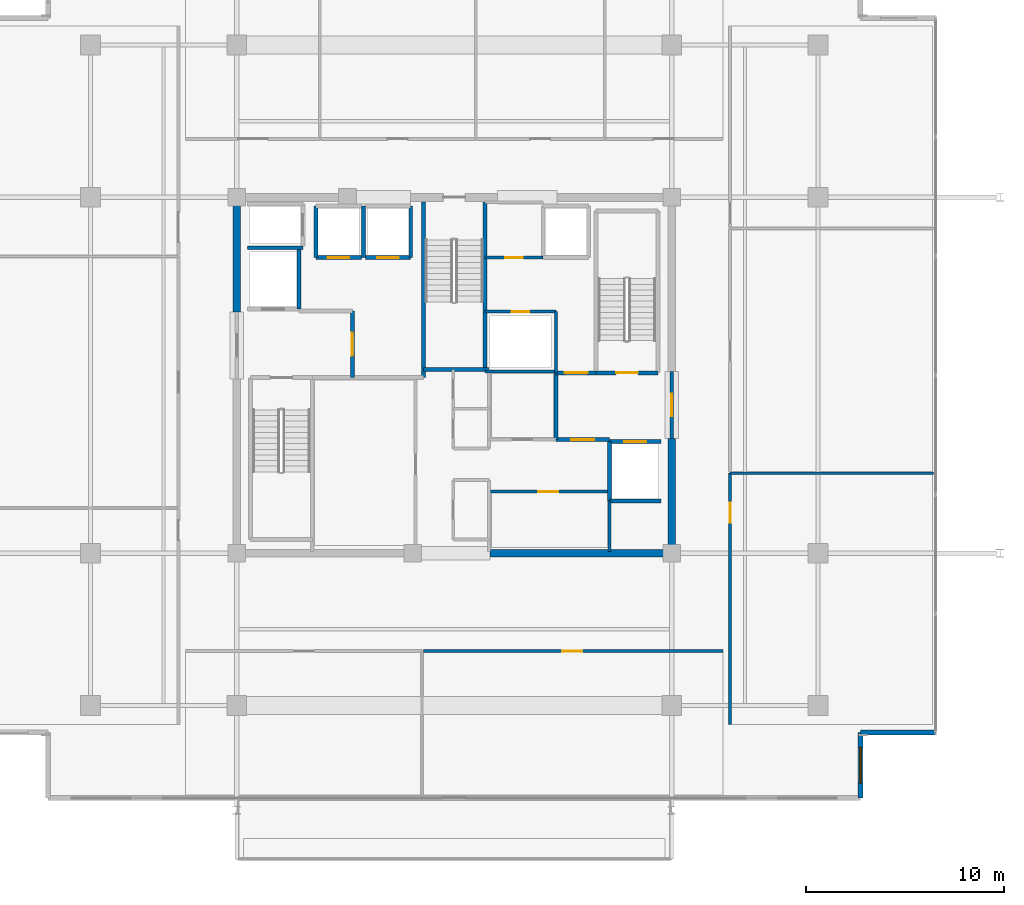
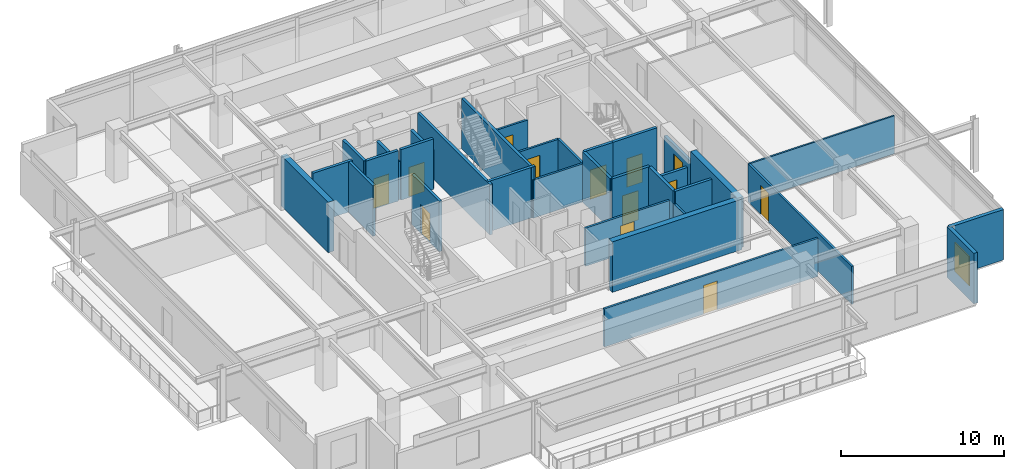
# One storey, part 15 of 21: 33 walls, 13 doors, 1 window, 14 openings.
"""IFC4 building model written with IfcOpenShell, lengths in metres."""

import ifcopenshell
import ifcopenshell.guid

model = None  # the IFC model being written
_history = None  # IfcOwnerHistory: only IFC2X3 demands one
_inside = {}  # id of a spatial element -> (the spatial element, [elements in it])
_under = {}  # id of a project, library or spatial element -> (it, [spatial elements below it])
_declared = {}  # id of a project -> (the project, [libraries it declares])
_typed = {}  # id of a type object -> (the type object, [elements of that type])
_made_of = {}  # id of a material, layer set ... -> (it, [elements and type objects made of it])


def new_model(schema):
    """Start an empty IFC model of exactly this schema.

    Asked for "IFC4X3", IfcOpenShell would pick the latest addendum, in which some entities
    have other attributes; the version numbers below select the first issue.
    IFC2X3 requires an IfcOwnerHistory on every rooted entity: one is made here for all.
    """
    global model, _history
    if schema == "IFC4X3":
        model = ifcopenshell.file(schema_version=(4, 3, 0, 0))
    else:
        model = ifcopenshell.file(schema=schema)
    _inside.clear()
    _under.clear()
    _declared.clear()
    _typed.clear()
    _made_of.clear()
    _history = None
    if model.schema == "IFC2X3":
        org = make("IfcOrganization", Name="unknown")
        user = make(
            "IfcPersonAndOrganization",
            ThePerson=make("IfcPerson", FamilyName="unknown"),
            TheOrganization=org,
        )
        app = make(
            "IfcApplication",
            ApplicationDeveloper=org,
            Version="unknown",
            ApplicationFullName="unknown",
            ApplicationIdentifier="unknown",
        )
        _history = make(
            "IfcOwnerHistory",
            OwningUser=user,
            OwningApplication=app,
            ChangeAction="ADDED",
            CreationDate=0,
        )
    return model


def make(cls, **values):
    """One entity of the class cls with the attributes given. An attribute that is None is left unset."""
    return model.create_entity(
        cls, **{name: value for name, value in values.items() if value is not None}
    )


def rooted(cls, **values):
    """An entity with a GlobalId (a new one), such as an element, a storey or a relation."""
    return make(cls, GlobalId=ifcopenshell.guid.new(), OwnerHistory=_history, **values)


def si_unit(unit_type, name, prefix=None):
    """IfcSIUnit, for example si_unit("LENGTHUNIT", "METRE", prefix="MILLI")."""
    return make("IfcSIUnit", UnitType=unit_type, Prefix=prefix, Name=name)


def assignment(units):
    """IfcUnitAssignment: the units of a project."""
    return None if units is None else make("IfcUnitAssignment", Units=units)


def point(xyz):
    """IfcCartesianPoint."""
    return None if xyz is None else make("IfcCartesianPoint", Coordinates=xyz)


def direction(xyz):
    """IfcDirection."""
    return None if xyz is None else make("IfcDirection", DirectionRatios=xyz)


def frame(location, z_axis=None, x_axis=None):
    """IfcAxis2Placement3D, a coordinate frame: its origin and axes. An axis left out is left unset."""
    return make(
        "IfcAxis2Placement3D",
        Location=point(location),
        Axis=direction(z_axis),
        RefDirection=direction(x_axis),
    )


def frame_2d(location, x_axis=None):
    """IfcAxis2Placement2D, a coordinate frame in the plane: its origin and x axis."""
    return make(
        "IfcAxis2Placement2D", Location=point(location), RefDirection=direction(x_axis)
    )


def origin():
    """The frame at (0, 0, 0) with its axes left unset."""
    return frame((0.0, 0.0, 0.0))


def place(relative_to, where):
    """IfcLocalPlacement: puts the frame where relative to a parent placement (None: the world)."""
    return make(
        "IfcLocalPlacement", PlacementRelTo=relative_to, RelativePlacement=where
    )


def context(
    kind, dimensions, precision=None, world=None, true_north=None, identifier=None
):
    """IfcGeometricRepresentationContext, for example the 3D "Model" context."""
    return make(
        "IfcGeometricRepresentationContext",
        ContextIdentifier=identifier,
        ContextType=kind,
        CoordinateSpaceDimension=dimensions,
        Precision=precision,
        WorldCoordinateSystem=world,
        TrueNorth=true_north,
    )


def subcontext(parent, identifier, kind, view, scale=None):
    """IfcGeometricRepresentationSubContext, for example "Body" below "Model"."""
    return make(
        "IfcGeometricRepresentationSubContext",
        ContextIdentifier=identifier,
        ContextType=kind,
        ParentContext=parent,
        TargetScale=scale,
        TargetView=view,
    )


def project(units=None, contexts=None):
    """IfcProject with its units and contexts."""
    return rooted(
        "IfcProject",
        Name="project",
        RepresentationContexts=contexts,
        UnitsInContext=assignment(units),
    )


def spatial(cls, under=None, at=None, **own):
    """A site, building, storey or space (cls), placed at a placement, below another one or the project."""
    s = rooted(cls, ObjectPlacement=at, **own)
    if under is not None:
        _under.setdefault(under.id(), (under, []))[1].append(s)
    return s


def profile(cls, at=None, kind="AREA", **sizes):
    """A parametric profile (cls). Its sizes go by their IFC names, for example OverallWidth=200.0."""
    return make(cls, ProfileType=kind, Position=at, **sizes)


def rectangle(**sizes):
    """IfcRectangleProfileDef."""
    return profile("IfcRectangleProfileDef", **sizes)


def extrude(swept, where, along, depth):
    """IfcExtrudedAreaSolid: the profile swept, set in the frame where, extruded along a direction by depth."""
    return make(
        "IfcExtrudedAreaSolid",
        SweptArea=swept,
        Position=where,
        ExtrudedDirection=direction(along),
        Depth=depth,
    )


def shape(context_of_items, identifier, shape_type, items):
    """IfcShapeRepresentation: the items that make up one representation, for example the "Body"."""
    return make(
        "IfcShapeRepresentation",
        ContextOfItems=context_of_items,
        RepresentationIdentifier=identifier,
        RepresentationType=shape_type,
        Items=items,
    )


def material(Name=None, Category=None):
    """IfcMaterial."""
    return make("IfcMaterial", Name=Name, Category=Category)


def layer(
    of_material, thickness, ventilated=None, Name=None, Category=None, Priority=None
):
    """IfcMaterialLayer: one layer of a wall or slab, of a material (None: an air gap)."""
    return make(
        "IfcMaterialLayer",
        Material=of_material,
        LayerThickness=thickness,
        IsVentilated=ventilated,
        Name=Name,
        Category=Category,
        Priority=Priority,
    )


def layer_set(layers, Name=None):
    """IfcMaterialLayerSet."""
    return make("IfcMaterialLayerSet", MaterialLayers=layers, LayerSetName=Name)


def made_of(thing, what):
    """Note that an element or type object is made of a material, layer set ...; save() writes the relation."""
    if what is not None:
        _made_of.setdefault(what.id(), (what, []))[1].append(thing)
    return thing


def type_object(cls, material=None, **own):
    """A type object (cls), such as IfcWallType, which elements share."""
    return made_of(rooted(cls, **own), material)


def element(
    cls,
    number,
    at=None,
    inside=None,
    cuts=None,
    type_object=None,
    material=None,
    context=None,
    identifier="Body",
    shape_type=None,
    held_by="IfcProductDefinitionShape",
    body=None,
    shapes=None,
    **own,
):
    """One element of the class cls, such as IfcWall. Its Tag is "e" and its number.

    at: its placement. inside: the storey or other place that contains it. cuts: it is an
    opening in that element (IfcRelVoidsElement). A single representation is given by context,
    identifier, shape_type and body (its items); several are given by shapes. held_by: the class
    of the entity that holds the representations. save() writes the other relations.
    """
    e = rooted(cls, Tag="e%d" % number, ObjectPlacement=at, **own)
    if body is not None:
        shapes = [shape(context, identifier, shape_type, body)]
    if shapes is not None:
        e.Representation = make(held_by, Representations=shapes)
    if inside is not None:
        _inside.setdefault(inside.id(), (inside, []))[1].append(e)
    if cuts is not None:
        rooted(
            "IfcRelVoidsElement", RelatingBuildingElement=cuts, RelatedOpeningElement=e
        )
    if type_object is not None:
        _typed.setdefault(type_object.id(), (type_object, []))[1].append(e)
    return made_of(e, material)


def fill(opening, filler):
    """IfcRelFillsElement: the door or window that sits in an opening."""
    return rooted(
        "IfcRelFillsElement",
        RelatingOpeningElement=opening,
        RelatedBuildingElement=filler,
    )


def aggregate(whole, parts):
    """IfcRelAggregates: a whole, such as a stair, and the parts it consists of."""
    return rooted("IfcRelAggregates", RelatingObject=whole, RelatedObjects=parts)


def save(model, path):
    """Write the relations noted so far, then the file.

    IfcRelAggregates (storeys below a building ...), IfcRelContainedInSpatialStructure (elements
    in a storey), IfcRelDefinesByType, IfcRelAssociatesMaterial and IfcRelDeclares: one each for
    every whole, place, type object, material and project.
    """
    for whole, parts in _under.values():
        aggregate(whole, parts)
    for where, things in _inside.values():
        rooted(
            "IfcRelContainedInSpatialStructure",
            RelatedElements=things,
            RelatingStructure=where,
        )
    for kind, things in _typed.values():
        rooted("IfcRelDefinesByType", RelatedObjects=things, RelatingType=kind)
    for what, things in _made_of.values():
        rooted("IfcRelAssociatesMaterial", RelatedObjects=things, RelatingMaterial=what)
    for by, libraries in _declared.values():
        rooted("IfcRelDeclares", RelatingContext=by, RelatedDefinitions=libraries)
    model.write(path)


model = new_model("IFC4")

# Units and contexts
model_context = context("Model", 3, precision=1e-05, world=origin(), true_north=direction((0.0, 1.0)))
body_context = subcontext(model_context, "Body", "Model", "MODEL_VIEW")
ifc_project = project(units=[si_unit("LENGTHUNIT", "METRE"), si_unit("AREAUNIT", "SQUARE_METRE"), si_unit("VOLUMEUNIT", "CUBIC_METRE"), si_unit("PLANEANGLEUNIT", "RADIAN"), si_unit("MASSUNIT", "GRAM", prefix="KILO")], contexts=[model_context])

# Site, building, storey
site_placement = place(None, origin())
site = spatial("IfcSite", under=ifc_project, at=site_placement, CompositionType="ELEMENT")
building_placement = place(site_placement, origin())
building = spatial("IfcBuilding", under=site, at=building_placement, Name="Kovane Verandah Tower", CompositionType="ELEMENT")
storey_placement = place(building_placement, frame((0.0, 0.0, 310.800048828125)))
storey = spatial("IfcBuildingStorey", under=building, at=storey_placement, Name="L72", CompositionType="ELEMENT", Elevation=310.800048828125)

# Walls
ifc_material_1 = material(Name="Fire-Rated Gypsum Stud Partition", Category="gypsum")
ifc_layer_1 = layer(ifc_material_1, 0.14990234375)
ifc_layer_set_1 = layer_set([ifc_layer_1], Name="Fire-Rated Gypsum Stud Partition")
wall_type_1 = type_object("IfcWallType", Name="WL-COR-150", PredefinedType="PARTITIONING", material=ifc_layer_set_1)
wall_1_placement = place(storey_placement, frame((41.56005859375, 27.679931640625, 0.0), z_axis=(0.0, 0.0, 1.0), x_axis=(1.0, 0.0, 0.0)))
element("IfcWall", 1, at=wall_1_placement, inside=storey, type_object=wall_type_1, Name="L72 East Core Service Riser South Wall", PredefinedType="PARTITIONING", context=body_context, shape_type="SweptSolid", body=[
    extrude(rectangle(XDim=3.58984375, YDim=0.14990234375, at=frame_2d((1.794921875, 0.0))), origin(), (0.0, 0.0, 1.0), 2.849853515625),
])
wall_2_placement = place(storey_placement, frame((47.85009765625, 18.60009765625, 0.0), z_axis=(0.0, 0.0, 1.0), x_axis=(0.0, 1.0, 0.0)))
element("IfcWall", 2, at=wall_2_placement, inside=storey, type_object=wall_type_1, Name="L72 East Core Support East Wall", PredefinedType="PARTITIONING", context=body_context, shape_type="SweptSolid", body=[
    extrude(rectangle(XDim=2.539794921875, YDim=0.14990234375, at=frame_2d((1.27001953125, 0.0))), origin(), (0.0, 0.0, 1.0), 2.849853515625),
])

# Wall, opening, door
wall_3_placement = place(storey_placement, frame((41.760009765625, 21.6201171875, 0.0), z_axis=(0.0, 0.0, 1.0), x_axis=(1.0, 0.0, 0.0)))
wall_3 = element("IfcWall", 3, at=wall_3_placement, inside=storey, type_object=wall_type_1, Name="L72 Records Vault Room Partition", PredefinedType="PARTITIONING", context=body_context, shape_type="SweptSolid", body=[
    extrude(rectangle(XDim=5.97998046875, YDim=0.14990234375, at=frame_2d((2.989990234375, 0.0))), origin(), (0.0, 0.0, 1.0), 2.849853515625),
])
opening_1_placement = place(wall_3_placement, frame((2.489990234375, 0.0, 0.0)))
opening_1 = element("IfcOpeningElement", 4, at=opening_1_placement, cuts=wall_3, Name="Opening DR-L72-015", PredefinedType="OPENING", context=body_context, shape_type="SweptSolid", body=[
    extrude(rectangle(XDim=1.0, YDim=2.14990234375, at=frame_2d((0.5, 1.074951171875))), frame((0.0, 0.074951171875, 0.0), z_axis=(0.0, -1.0, 0.0), x_axis=(1.0, 0.0, 0.0)), (0.0, 0.0, 1.0), 0.14990234375),
])
ifc_material_2 = material(Name="FSC Spotted-Gum Timber Fire-Rated Office Door", Category="wood")
door_type_1 = type_object("IfcDoorType", Name="DR-OFF-1000", OperationType="SINGLE_SWING_LEFT", PredefinedType="DOOR", material=ifc_material_2)
door_1_placement = place(opening_1_placement, origin())
door_1 = element("IfcDoor", 5, at=door_1_placement, inside=storey, type_object=door_type_1, Name="L72 Records Vault Room Door", OperationType="SINGLE_SWING_RIGHT", OverallHeight=2.14990234375, OverallWidth=1.0, PredefinedType="DOOR", context=body_context, shape_type="SweptSolid", body=[
    extrude(rectangle(XDim=1.0, YDim=2.14990234375, at=frame_2d((0.5, 1.074951171875))), frame((0.0, 0.02490234375, 0.0), z_axis=(0.0, -1.0, 0.0), x_axis=(1.0, 0.0, 0.0)), (0.0, 0.0, 1.0), 0.050048828125),
])
fill(opening_1, door_1)

# Wall
wall_4_placement = place(storey_placement, frame((45.14990234375, 27.6201171875, 0.0), z_axis=(0.0, 0.0, 1.0), x_axis=(0.0, 1.0, 0.0)))
element("IfcWall", 6, at=wall_4_placement, inside=storey, type_object=wall_type_1, Name="L72 East Core Service Riser East Wall", PredefinedType="PARTITIONING", context=body_context, shape_type="SweptSolid", body=[
    extrude(rectangle(XDim=3.099853515625, YDim=0.14990234375, at=frame_2d((1.5498046875, 0.0))), origin(), (0.0, 0.0, 1.0), 2.849853515625),
])

# Wall, opening, door
wall_5_placement = place(storey_placement, frame((41.56005859375, 30.719970703125, 0.0), z_axis=(0.0, 0.0, 1.0), x_axis=(1.0, 0.0, 0.0)))
wall_5 = element("IfcWall", 7, at=wall_5_placement, inside=storey, type_object=wall_type_1, Name="L72 Combined Chilled Water and Smoke Duct Room Partition", PredefinedType="PARTITIONING", context=body_context, shape_type="SweptSolid", body=[
    extrude(rectangle(XDim=3.58984375, YDim=0.14990234375, at=frame_2d((1.794921875, 0.0))), origin(), (0.0, 0.0, 1.0), 2.849853515625),
])
opening_2_placement = place(wall_5_placement, frame((1.35498046875, 0.0, 0.0)))
opening_2 = element("IfcOpeningElement", 8, at=opening_2_placement, cuts=wall_5, Name="Opening DR-L72-018", PredefinedType="OPENING", context=body_context, shape_type="SweptSolid", body=[
    extrude(rectangle(XDim=0.8798828125, YDim=2.10009765625, at=frame_2d((0.43994140625, 1.050048828125))), frame((0.0, 0.074951171875, 0.0), z_axis=(0.0, -1.0, 0.0), x_axis=(1.0, 0.0, 0.0)), (0.0, 0.0, 1.0), 0.14990234375),
])
ifc_material_3 = material(Name="Fire-Rated Steel Riser Access Door", Category="steel")
door_type_2 = type_object("IfcDoorType", Name="DR-RISER-880", OperationType="SINGLE_SWING_LEFT", PredefinedType="DOOR", material=ifc_material_3)
door_2_placement = place(opening_2_placement, origin())
door_2 = element("IfcDoor", 9, at=door_2_placement, inside=storey, type_object=door_type_2, Name="L72 Combined Chilled Water and Smoke Duct Room Door", OperationType="SINGLE_SWING_RIGHT", OverallHeight=2.10009765625, OverallWidth=0.8798828125, PredefinedType="DOOR", context=body_context, shape_type="SweptSolid", body=[
    extrude(rectangle(XDim=0.8798828125, YDim=2.10009765625, at=frame_2d((0.43994140625, 1.050048828125))), frame((0.0, 0.02490234375, 0.0), z_axis=(0.0, -1.0, 0.0), x_axis=(1.0, 0.0, 0.0)), (0.0, 0.0, 1.0), 0.050048828125),
])
fill(opening_2, door_2)

wall_6_placement = place(storey_placement, frame((41.56005859375, 33.449951171875, 0.0), z_axis=(0.0, 0.0, 1.0), x_axis=(1.0, 0.0, 0.0)))
wall_6 = element("IfcWall", 10, at=wall_6_placement, inside=storey, type_object=wall_type_1, Name="L72 Sky Telecom Riser Room Partition", PredefinedType="PARTITIONING", context=body_context, shape_type="SweptSolid", body=[
    extrude(rectangle(XDim=2.93994140625, YDim=0.14990234375, at=frame_2d((1.469970703125, 0.0))), origin(), (0.0, 0.0, 1.0), 2.849853515625),
])
opening_3_placement = place(wall_6_placement, frame((1.030029296875, 0.0, 0.0)))
opening_3 = element("IfcOpeningElement", 11, at=opening_3_placement, cuts=wall_6, Name="Opening DR-L72-017", PredefinedType="OPENING", context=body_context, shape_type="SweptSolid", body=[
    extrude(rectangle(XDim=0.8798828125, YDim=2.10009765625, at=frame_2d((0.43994140625, 1.050048828125))), frame((0.0, 0.074951171875, 0.0), z_axis=(0.0, -1.0, 0.0), x_axis=(1.0, 0.0, 0.0)), (0.0, 0.0, 1.0), 0.14990234375),
])
door_3_placement = place(opening_3_placement, origin())
door_3 = element("IfcDoor", 12, at=door_3_placement, inside=storey, type_object=door_type_2, Name="L72 Sky Telecom Riser Room Door", OperationType="SINGLE_SWING_LEFT", OverallHeight=2.10009765625, OverallWidth=0.8798828125, PredefinedType="DOOR", context=body_context, shape_type="SweptSolid", body=[
    extrude(rectangle(XDim=0.8798828125, YDim=2.10009765625, at=frame_2d((0.43994140625, 1.050048828125))), frame((0.0, 0.02490234375, 0.0), z_axis=(0.0, -1.0, 0.0), x_axis=(1.0, 0.0, 0.0)), (0.0, 0.0, 1.0), 0.050048828125),
])
fill(opening_3, door_3)

wall_7_placement = place(storey_placement, frame((38.43798828125, 13.550048828125, 0.0), z_axis=(0.0, 0.0, 1.0), x_axis=(1.0, 0.0, 0.0)))
wall_7 = element("IfcWall", 13, at=wall_7_placement, inside=storey, type_object=wall_type_1, Name="L72 Document and Print Room S2 Corridor Partition", PredefinedType="PARTITIONING", context=body_context, shape_type="SweptSolid", body=[
    extrude(rectangle(XDim=15.162109375, YDim=0.14990234375, at=frame_2d((7.5810546875, 0.0))), origin(), (0.0, 0.0, 1.0), 2.849853515625),
])
opening_4_placement = place(wall_7_placement, frame((7.031005859375, 0.0, 0.0)))
opening_4 = element("IfcOpeningElement", 14, at=opening_4_placement, cuts=wall_7, Name="Opening DR-L72-024", PredefinedType="OPENING", context=body_context, shape_type="SweptSolid", body=[
    extrude(rectangle(XDim=1.0, YDim=2.14990234375, at=frame_2d((0.5, 1.074951171875))), frame((0.0, 0.074951171875, 0.0), z_axis=(0.0, -1.0, 0.0), x_axis=(1.0, 0.0, 0.0)), (0.0, 0.0, 1.0), 0.14990234375),
])
door_4_placement = place(opening_4_placement, origin())
door_4 = element("IfcDoor", 15, at=door_4_placement, inside=storey, type_object=door_type_1, Name="L72 Document and Print Room S2 Entrance Door", OperationType="SINGLE_SWING_LEFT", OverallHeight=2.14990234375, OverallWidth=1.0, PredefinedType="DOOR", context=body_context, shape_type="SweptSolid", body=[
    extrude(rectangle(XDim=1.0, YDim=2.14990234375, at=frame_2d((0.5, 1.074951171875))), frame((0.0, 0.02490234375, 0.0), z_axis=(0.0, -1.0, 0.0), x_axis=(1.0, 0.0, 0.0)), (0.0, 0.0, 1.0), 0.050048828125),
])
fill(opening_4, door_4)

wall_8_placement = place(storey_placement, frame((53.949951171875, 9.827880859375, 0.0), z_axis=(0.0, 0.0, 1.0), x_axis=(0.0, 1.0, 0.0)))
wall_8 = element("IfcWall", 16, at=wall_8_placement, inside=storey, type_object=wall_type_1, Name="L72 Meeting Room E1 Corridor Partition", PredefinedType="PARTITIONING", context=body_context, shape_type="SweptSolid", body=[
    extrude(rectangle(XDim=12.723876953125, YDim=0.14990234375, at=frame_2d((6.36181640625, 0.0))), origin(), (0.0, 0.0, 1.0), 2.849853515625),
])
opening_5_placement = place(wall_8_placement, frame((10.213134765625, 0.0, 0.0)))
opening_5 = element("IfcOpeningElement", 17, at=opening_5_placement, cuts=wall_8, Name="Opening DR-L72-011", PredefinedType="OPENING", context=body_context, shape_type="SweptSolid", body=[
    extrude(rectangle(XDim=1.0, YDim=2.14990234375, at=frame_2d((0.5, 1.074951171875))), frame((0.0, 0.074951171875, 0.0), z_axis=(0.0, -1.0, 0.0), x_axis=(1.0, 0.0, 0.0)), (0.0, 0.0, 1.0), 0.14990234375),
])
door_5_placement = place(opening_5_placement, origin())
door_5 = element("IfcDoor", 18, at=door_5_placement, inside=storey, type_object=door_type_1, Name="L72 Meeting Room E1 Entrance Door", OperationType="SINGLE_SWING_LEFT", OverallHeight=2.14990234375, OverallWidth=1.0, PredefinedType="DOOR", context=body_context, shape_type="SweptSolid", body=[
    extrude(rectangle(XDim=1.0, YDim=2.14990234375, at=frame_2d((0.5, 1.074951171875))), frame((0.0, 0.02490234375, 0.0), z_axis=(0.0, -1.0, 0.0), x_axis=(1.0, 0.0, 0.0)), (0.0, 0.0, 1.0), 0.050048828125),
])
fill(opening_5, door_5)

# Walls
ifc_material_4 = material(Name="Concrete C60/75", Category="concrete")
ifc_layer_2 = layer(ifc_material_4, 0.39990234375)
ifc_layer_set_2 = layer_set([ifc_layer_2], Name="Concrete C60/75")
wall_type_2 = type_object("IfcWallType", Name="WL-CORE-400", PredefinedType="SHEAR", material=ifc_layer_set_2)
wall_9_placement = place(storey_placement, frame((41.800048828125, 18.5, 0.0), z_axis=(0.0, 0.0, 1.0), x_axis=(1.0, 0.0, 0.0)))
element("IfcWall", 19, at=wall_9_placement, inside=storey, type_object=wall_type_2, Name="L72 Core Shear Wall CS-2", PredefinedType="SHEAR", context=body_context, shape_type="SweptSolid", body=[
    extrude(rectangle(XDim=9.199951171875, YDim=0.39990234375, at=frame_2d((4.60009765625, 0.0))), origin(), (0.0, 0.0, 1.0), 3.784912109375),
])
for number, where, z_axis, x_axis, name in (
    (20, (29.0, 30.699951171875, 0.0), (0.0, 0.0, 1.0), (0.0, 1.0, 0.0), "L72 Core Shear Wall CW-2"),
    (21, (51.0, 18.5, 0.0), (0.0, 0.0, 1.0), (0.0, 1.0, 0.0), "L72 Core Shear Wall CE-1"),
):
    element("IfcWall", number, at=place(storey_placement, frame(where, z_axis=z_axis, x_axis=x_axis)), inside=storey, type_object=wall_type_2, Name=name, PredefinedType="SHEAR", context=body_context, shape_type="SweptSolid", body=[
        extrude(rectangle(XDim=5.800048828125, YDim=0.39990234375, at=frame_2d((2.89990234375, 0.0))), origin(), (0.0, 0.0, 1.0), 3.784912109375),
    ])

# Wall, opening, door
ifc_material_5 = material(Name="Concrete C45/55 Fire Wall", Category="concrete")
ifc_layer_3 = layer(ifc_material_5, 0.199951171875)
ifc_layer_set_3 = layer_set([ifc_layer_3], Name="Concrete C45/55 Fire Wall")
wall_type_3 = type_object("IfcWallType", Name="WL-FFL-200", PredefinedType="PARTITIONING", material=ifc_layer_set_3)
wall_10_placement = place(storey_placement, frame((34.85009765625, 27.3798828125, 0.0), z_axis=(0.0, 0.0, 1.0), x_axis=(0.0, 1.0, 0.0)))
wall_10 = element("IfcWall", 22, at=wall_10_placement, inside=storey, type_object=wall_type_3, Name="W-L72-FFLW-E", PredefinedType="PARTITIONING", context=body_context, shape_type="SweptSolid", body=[
    extrude(rectangle(XDim=3.3701171875, YDim=0.199951171875, at=frame_2d((1.68505859375, 0.0))), origin(), (0.0, 0.0, 1.0), 3.784912109375),
])
opening_6_placement = place(wall_10_placement, frame((1.110107421875, 0.0, 0.0)))
opening_6 = element("IfcOpeningElement", 23, at=opening_6_placement, cuts=wall_10, Name="Opening DR-L72-006", PredefinedType="OPENING", context=body_context, shape_type="SweptSolid", body=[
    extrude(rectangle(XDim=1.14990234375, YDim=2.199951171875, at=frame_2d((0.574951171875, 1.10009765625))), frame((0.0, 0.10009765625, 0.0), z_axis=(0.0, -1.0, 0.0), x_axis=(1.0, 0.0, 0.0)), (0.0, 0.0, 1.0), 0.199951171875),
])
ifc_material_6 = material(Name="Smoke-Sealed Firefighting Lobby Door", Category="steel")
door_type_3 = type_object("IfcDoorType", Name="DR-FFL-1150", OperationType="SINGLE_SWING_LEFT", PredefinedType="DOOR", material=ifc_material_6)
door_6_placement = place(opening_6_placement, origin())
door_6 = element("IfcDoor", 24, at=door_6_placement, inside=storey, type_object=door_type_3, Name="L72 West Firefighting Lobby Inner Door", OperationType="SINGLE_SWING_LEFT", OverallHeight=2.199951171875, OverallWidth=1.14990234375, PredefinedType="DOOR", context=body_context, shape_type="SweptSolid", body=[
    extrude(rectangle(XDim=1.14990234375, YDim=2.199951171875, at=frame_2d((0.574951171875, 1.10009765625))), frame((0.0, 0.02490234375, 0.0), z_axis=(0.0, -1.0, 0.0), x_axis=(1.0, 0.0, 0.0)), (0.0, 0.0, 1.0), 0.050048828125),
])
fill(opening_6, door_6)

# Wall
wall_11_placement = place(storey_placement, frame((45.14990234375, 24.25, 0.0), z_axis=(0.0, 0.0, 1.0), x_axis=(0.0, 1.0, 0.0)))
element("IfcWall", 25, at=wall_11_placement, inside=storey, type_object=wall_type_3, Name="L72 East Firefighting Lobby West Fire Wall", PredefinedType="PARTITIONING", context=body_context, shape_type="SweptSolid", body=[
    extrude(rectangle(XDim=3.3701171875, YDim=0.199951171875, at=frame_2d((1.68505859375, 0.0))), origin(), (0.0, 0.0, 1.0), 3.784912109375),
])

# Wall, opening, door
wall_12_placement = place(storey_placement, frame((45.14990234375, 24.25, 0.0), z_axis=(0.0, 0.0, 1.0), x_axis=(1.0, 0.0, 0.0)))
wall_12 = element("IfcWall", 26, at=wall_12_placement, inside=storey, type_object=wall_type_3, Name="W-L72-FFLE-S", PredefinedType="PARTITIONING", context=body_context, shape_type="SweptSolid", body=[
    extrude(rectangle(XDim=2.7001953125, YDim=0.199951171875, at=frame_2d((1.35009765625, 0.0))), origin(), (0.0, 0.0, 1.0), 3.784912109375),
])
opening_7_placement = place(wall_12_placement, frame((0.77490234375, 0.0, 0.0)))
opening_7 = element("IfcOpeningElement", 27, at=opening_7_placement, cuts=wall_12, Name="Opening DR-L72-003", PredefinedType="OPENING", context=body_context, shape_type="SweptSolid", body=[
    extrude(rectangle(XDim=1.14990234375, YDim=2.199951171875, at=frame_2d((0.574951171875, 1.10009765625))), frame((0.0, 0.10009765625, 0.0), z_axis=(0.0, -1.0, 0.0), x_axis=(1.0, 0.0, 0.0)), (0.0, 0.0, 1.0), 0.199951171875),
])
door_7_placement = place(opening_7_placement, origin())
door_7 = element("IfcDoor", 28, at=door_7_placement, inside=storey, type_object=door_type_3, Name="L72 East Firefighting Lobby Inner Door", OperationType="SINGLE_SWING_RIGHT", OverallHeight=2.199951171875, OverallWidth=1.14990234375, PredefinedType="DOOR", context=body_context, shape_type="SweptSolid", body=[
    extrude(rectangle(XDim=1.14990234375, YDim=2.199951171875, at=frame_2d((0.574951171875, 1.10009765625))), frame((0.0, 0.02490234375, 0.0), z_axis=(0.0, -1.0, 0.0), x_axis=(1.0, 0.0, 0.0)), (0.0, 0.0, 1.0), 0.050048828125),
])
fill(opening_7, door_7)

wall_13_placement = place(storey_placement, frame((45.14990234375, 27.6201171875, 0.0), z_axis=(0.0, 0.0, 1.0), x_axis=(1.0, 0.0, 0.0)))
wall_13 = element("IfcWall", 29, at=wall_13_placement, inside=storey, type_object=wall_type_3, Name="W-L72-FFLE-N", PredefinedType="PARTITIONING", context=body_context, shape_type="SweptSolid", body=[
    extrude(rectangle(XDim=2.030029296875, YDim=0.199951171875, at=frame_2d((1.01513671875, 0.0))), origin(), (0.0, 0.0, 1.0), 3.784912109375),
])
opening_8_placement = place(wall_13_placement, frame((0.43994140625, 0.0, 0.0)))
opening_8 = element("IfcOpeningElement", 30, at=opening_8_placement, cuts=wall_13, Name="Opening DR-L72-004", PredefinedType="OPENING", context=body_context, shape_type="SweptSolid", body=[
    extrude(rectangle(XDim=1.14990234375, YDim=2.199951171875, at=frame_2d((0.574951171875, 1.10009765625))), frame((0.0, 0.10009765625, 0.0), z_axis=(0.0, -1.0, 0.0), x_axis=(1.0, 0.0, 0.0)), (0.0, 0.0, 1.0), 0.199951171875),
])
door_8_placement = place(opening_8_placement, origin())
door_8 = element("IfcDoor", 31, at=door_8_placement, inside=storey, type_object=door_type_3, Name="L72 East Firefighting Lobby Shuttle Link Door", OperationType="SINGLE_SWING_LEFT", OverallHeight=2.199951171875, OverallWidth=1.14990234375, PredefinedType="DOOR", context=body_context, shape_type="SweptSolid", body=[
    extrude(rectangle(XDim=1.14990234375, YDim=2.199951171875, at=frame_2d((0.574951171875, 1.10009765625))), frame((0.0, 0.02490234375, 0.0), z_axis=(0.0, -1.0, 0.0), x_axis=(1.0, 0.0, 0.0)), (0.0, 0.0, 1.0), 0.050048828125),
])
fill(opening_8, door_8)

wall_14_placement = place(storey_placement, frame((51.0, 24.300048828125, 0.0), z_axis=(0.0, 0.0, 1.0), x_axis=(0.0, 1.0, 0.0)))
wall_14 = element("IfcWall", 32, at=wall_14_placement, inside=storey, type_object=wall_type_3, Name="W-L72-FFLE-OUT", PredefinedType="PARTITIONING", context=body_context, shape_type="SweptSolid", body=[
    extrude(rectangle(XDim=3.39990234375, YDim=0.199951171875, at=frame_2d((1.699951171875, 0.0))), origin(), (0.0, 0.0, 1.0), 2.864990234375),
])
opening_9_placement = place(wall_14_placement, frame((1.125, 0.0, 0.0)))
opening_9 = element("IfcOpeningElement", 33, at=opening_9_placement, cuts=wall_14, Name="Opening DR-L72-005", PredefinedType="OPENING", context=body_context, shape_type="SweptSolid", body=[
    extrude(rectangle(XDim=1.14990234375, YDim=2.199951171875, at=frame_2d((0.574951171875, 1.10009765625))), frame((0.0, 0.10009765625, 0.0), z_axis=(0.0, -1.0, 0.0), x_axis=(1.0, 0.0, 0.0)), (0.0, 0.0, 1.0), 0.199951171875),
])
door_9_placement = place(opening_9_placement, origin())
door_9 = element("IfcDoor", 34, at=door_9_placement, inside=storey, type_object=door_type_3, Name="L72 East Firefighting Lobby Corridor Door", OperationType="SINGLE_SWING_LEFT", OverallHeight=2.199951171875, OverallWidth=1.14990234375, PredefinedType="DOOR", context=body_context, shape_type="SweptSolid", body=[
    extrude(rectangle(XDim=1.14990234375, YDim=2.199951171875, at=frame_2d((0.574951171875, 1.10009765625))), frame((0.0, 0.02490234375, 0.0), z_axis=(0.0, -1.0, 0.0), x_axis=(1.0, 0.0, 0.0)), (0.0, 0.0, 1.0), 0.050048828125),
])
fill(opening_9, door_9)

# Walls
ifc_material_7 = material(Name="Concrete C45/55 Lift Shaft Wall", Category="concrete")
ifc_layer_4 = layer(ifc_material_7, 0.199951171875)
ifc_layer_set_4 = layer_set([ifc_layer_4], Name="Concrete C45/55 Lift Shaft Wall")
wall_type_4 = type_object("IfcWallType", Name="WL-LIFT-200", PredefinedType="SOLIDWALL", material=ifc_layer_set_4)
wall_15_placement = place(storey_placement, frame((29.550048828125, 33.949951171875, 0.0), z_axis=(0.0, 0.0, 1.0), x_axis=(1.0, 0.0, 0.0)))
element("IfcWall", 35, at=wall_15_placement, inside=storey, type_object=wall_type_4, Name="L72 Lift FL-01 and GL-01 Shared Shaft Wall", PredefinedType="SOLIDWALL", context=body_context, shape_type="SweptSolid", body=[
    extrude(rectangle(XDim=2.800048828125, YDim=0.199951171875, at=frame_2d((1.39990234375, 0.0))), origin(), (0.0, 0.0, 1.0), 3.784912109375),
])
wall_16_placement = place(storey_placement, frame((32.14990234375, 30.85009765625, 0.0), z_axis=(0.0, 0.0, 1.0), x_axis=(0.0, 1.0, 0.0)))
element("IfcWall", 36, at=wall_16_placement, inside=storey, type_object=wall_type_4, Name="L72 Lift FL-01 E Shaft Wall", PredefinedType="SOLIDWALL", context=body_context, shape_type="SweptSolid", body=[
    extrude(rectangle(XDim=3.0, YDim=0.199951171875, at=frame_2d((1.5, 0.0))), origin(), (0.0, 0.0, 1.0), 3.784912109375),
])
wall_17_placement = place(storey_placement, frame((47.85009765625, 21.14990234375, 0.0), z_axis=(0.0, 0.0, 1.0), x_axis=(1.0, 0.0, 0.0)))
element("IfcWall", 37, at=wall_17_placement, inside=storey, type_object=wall_type_4, Name="L72 Lift FL-02 S Shaft Wall", PredefinedType="SOLIDWALL", context=body_context, shape_type="SweptSolid", body=[
    extrude(rectangle(XDim=2.599853515625, YDim=0.199951171875, at=frame_2d((1.2998046875, 0.0))), origin(), (0.0, 0.0, 1.0), 3.784912109375),
])

# Wall, opening, door
wall_18_placement = place(storey_placement, frame((50.449951171875, 24.14990234375, 0.0), z_axis=(0.0, 0.0, 1.0), x_axis=(-1.0, 0.0, 0.0)))
wall_18 = element("IfcWall", 38, at=wall_18_placement, inside=storey, type_object=wall_type_4, Name="L72 Lift FL-02 N Shaft Wall", PredefinedType="SOLIDWALL", context=body_context, shape_type="SweptSolid", body=[
    extrude(rectangle(XDim=2.599853515625, YDim=0.199951171875, at=frame_2d((1.2998046875, 0.0))), origin(), (0.0, 0.0, 1.0), 2.864990234375),
])
opening_10_placement = place(wall_18_placement, frame((0.75, 0.0, 0.0)))
opening_10 = element("IfcOpeningElement", 39, at=opening_10_placement, cuts=wall_18, Name="Opening LD-L72-002", PredefinedType="OPENING", context=body_context, shape_type="SweptSolid", body=[
    extrude(rectangle(XDim=1.10009765625, YDim=2.199951171875, at=frame_2d((0.550048828125, 1.10009765625))), frame((0.0, 0.10009765625, 0.0), z_axis=(0.0, -1.0, 0.0), x_axis=(1.0, 0.0, 0.0)), (0.0, 0.0, 1.0), 0.199951171875),
])
ifc_material_8 = material(Name="Brushed Stainless Steel Sliding Lift Landing Door", Category="steel")
door_type_4 = type_object("IfcDoorType", Name="DR-LIFT-1100", OperationType="SLIDING_TO_RIGHT", PredefinedType="DOOR", material=ifc_material_8)
door_10_placement = place(opening_10_placement, origin())
door_10 = element("IfcDoor", 40, at=door_10_placement, inside=storey, type_object=door_type_4, Name="L72 Lift FL-02 Sliding Landing Door", OperationType="SLIDING_TO_RIGHT", OverallHeight=2.199951171875, OverallWidth=1.10009765625, PredefinedType="DOOR", context=body_context, shape_type="SweptSolid", body=[
    extrude(rectangle(XDim=1.10009765625, YDim=2.199951171875, at=frame_2d((0.550048828125, 1.10009765625))), frame((0.0, 0.02490234375, 0.0), z_axis=(0.0, -1.0, 0.0), x_axis=(1.0, 0.0, 0.0)), (0.0, 0.0, 1.0), 0.050048828125),
])
fill(opening_10, door_10)

# Wall
wall_19_placement = place(storey_placement, frame((47.85009765625, 24.14990234375, 0.0), z_axis=(0.0, 0.0, 1.0), x_axis=(0.0, -1.0, 0.0)))
element("IfcWall", 41, at=wall_19_placement, inside=storey, type_object=wall_type_4, Name="L72 Lift FL-02 W Shaft Wall", PredefinedType="SOLIDWALL", context=body_context, shape_type="SweptSolid", body=[
    extrude(rectangle(XDim=3.0, YDim=0.199951171875, at=frame_2d((1.5, 0.0))), origin(), (0.0, 0.0, 1.0), 3.784912109375),
])

# Wall, opening, door
wall_20_placement = place(storey_placement, frame((33.0, 33.449951171875, 0.0), z_axis=(0.0, 0.0, 1.0), x_axis=(1.0, 0.0, 0.0)))
wall_20 = element("IfcWall", 42, at=wall_20_placement, inside=storey, type_object=wall_type_4, Name="L72 Lift PL-H1 S Shaft Wall", PredefinedType="SOLIDWALL", context=body_context, shape_type="SweptSolid", body=[
    extrude(rectangle(XDim=2.300048828125, YDim=0.199951171875, at=frame_2d((1.14990234375, 0.0))), origin(), (0.0, 0.0, 1.0), 3.784912109375),
])
opening_11_placement = place(wall_20_placement, frame((0.60009765625, 0.0, 0.0)))
opening_11 = element("IfcOpeningElement", 43, at=opening_11_placement, cuts=wall_20, Name="Opening LD-L72-004", PredefinedType="OPENING", context=body_context, shape_type="SweptSolid", body=[
    extrude(rectangle(XDim=1.10009765625, YDim=2.199951171875, at=frame_2d((0.550048828125, 1.10009765625))), frame((0.0, 0.10009765625, 0.0), z_axis=(0.0, -1.0, 0.0), x_axis=(1.0, 0.0, 0.0)), (0.0, 0.0, 1.0), 0.199951171875),
])
door_11_placement = place(opening_11_placement, origin())
door_11 = element("IfcDoor", 44, at=door_11_placement, inside=storey, type_object=door_type_4, Name="L72 Lift PL-H1 Sliding Landing Door", OperationType="SLIDING_TO_RIGHT", OverallHeight=2.199951171875, OverallWidth=1.10009765625, PredefinedType="DOOR", context=body_context, shape_type="SweptSolid", body=[
    extrude(rectangle(XDim=1.10009765625, YDim=2.199951171875, at=frame_2d((0.550048828125, 1.10009765625))), frame((0.0, 0.02490234375, 0.0), z_axis=(0.0, -1.0, 0.0), x_axis=(1.0, 0.0, 0.0)), (0.0, 0.0, 1.0), 0.050048828125),
])
fill(opening_11, door_11)

# Walls
wall_21_placement = place(storey_placement, frame((33.0, 36.050048828125, 0.0), z_axis=(0.0, 0.0, 1.0), x_axis=(0.0, -1.0, 0.0)))
element("IfcWall", 45, at=wall_21_placement, inside=storey, type_object=wall_type_4, Name="L72 Lift PL-H1 W Shaft Wall", PredefinedType="SOLIDWALL", context=body_context, shape_type="SweptSolid", body=[
    extrude(rectangle(XDim=2.60009765625, YDim=0.199951171875, at=frame_2d((1.300048828125, 0.0))), origin(), (0.0, 0.0, 1.0), 3.784912109375),
])
wall_22_placement = place(storey_placement, frame((35.39990234375, 33.449951171875, 0.0), z_axis=(0.0, 0.0, 1.0), x_axis=(0.0, 1.0, 0.0)))
element("IfcWall", 46, at=wall_22_placement, inside=storey, type_object=wall_type_4, Name="L72 Lift PL-H1 and PL-H2 Shared Shaft Wall", PredefinedType="SOLIDWALL", context=body_context, shape_type="SweptSolid", body=[
    extrude(rectangle(XDim=2.60009765625, YDim=0.199951171875, at=frame_2d((1.300048828125, 0.0))), origin(), (0.0, 0.0, 1.0), 2.864990234375),
])

# Wall, opening, door
wall_23_placement = place(storey_placement, frame((35.5, 33.449951171875, 0.0), z_axis=(0.0, 0.0, 1.0), x_axis=(1.0, 0.0, 0.0)))
wall_23 = element("IfcWall", 47, at=wall_23_placement, inside=storey, type_object=wall_type_4, Name="L72 Lift PL-H2 S Shaft Wall", PredefinedType="SOLIDWALL", context=body_context, shape_type="SweptSolid", body=[
    extrude(rectangle(XDim=2.300048828125, YDim=0.199951171875, at=frame_2d((1.14990234375, 0.0))), origin(), (0.0, 0.0, 1.0), 3.784912109375),
])
opening_12_placement = place(wall_23_placement, frame((0.60009765625, 0.0, 0.0)))
opening_12 = element("IfcOpeningElement", 48, at=opening_12_placement, cuts=wall_23, Name="Opening LD-L72-005", PredefinedType="OPENING", context=body_context, shape_type="SweptSolid", body=[
    extrude(rectangle(XDim=1.10009765625, YDim=2.199951171875, at=frame_2d((0.550048828125, 1.10009765625))), frame((0.0, 0.10009765625, 0.0), z_axis=(0.0, -1.0, 0.0), x_axis=(1.0, 0.0, 0.0)), (0.0, 0.0, 1.0), 0.199951171875),
])
door_12_placement = place(opening_12_placement, origin())
door_12 = element("IfcDoor", 49, at=door_12_placement, inside=storey, type_object=door_type_4, Name="L72 Lift PL-H2 Sliding Landing Door", OperationType="SLIDING_TO_RIGHT", OverallHeight=2.199951171875, OverallWidth=1.10009765625, PredefinedType="DOOR", context=body_context, shape_type="SweptSolid", body=[
    extrude(rectangle(XDim=1.10009765625, YDim=2.199951171875, at=frame_2d((0.550048828125, 1.10009765625))), frame((0.0, 0.02490234375, 0.0), z_axis=(0.0, -1.0, 0.0), x_axis=(1.0, 0.0, 0.0)), (0.0, 0.0, 1.0), 0.050048828125),
])
fill(opening_12, door_12)

# Walls
wall_24_placement = place(storey_placement, frame((37.800048828125, 33.449951171875, 0.0), z_axis=(0.0, 0.0, 1.0), x_axis=(0.0, 1.0, 0.0)))
element("IfcWall", 50, at=wall_24_placement, inside=storey, type_object=wall_type_4, Name="L72 Lift PL-H2 E Shaft Wall", PredefinedType="SOLIDWALL", context=body_context, shape_type="SweptSolid", body=[
    extrude(rectangle(XDim=2.60009765625, YDim=0.199951171875, at=frame_2d((1.300048828125, 0.0))), origin(), (0.0, 0.0, 1.0), 2.864990234375),
])
ifc_material_9 = material(Name="Acoustic Fire-Rated Gypsum Partition", Category="gypsum")
ifc_layer_5 = layer(ifc_material_9, 0.1201171875)
ifc_layer_set_5 = layer_set([ifc_layer_5], Name="Acoustic Fire-Rated Gypsum Partition")
wall_type_5 = type_object("IfcWallType", Name="WL-PART-120", PredefinedType="PARTITIONING", material=ifc_layer_set_5)
wall_25_placement = place(storey_placement, frame((53.949951171875, 22.5517578125, 0.0), z_axis=(0.0, 0.0, 1.0), x_axis=(1.0, 0.0, 0.0)))
element("IfcWall", 51, at=wall_25_placement, inside=storey, type_object=wall_type_5, Name="L72 Meeting Room E1 Dividing Partition", PredefinedType="PARTITIONING", context=body_context, shape_type="SweptSolid", body=[
    extrude(rectangle(XDim=10.29443359375, YDim=0.1201171875, at=frame_2d((5.147216796875, 0.0))), origin(), (0.0, 0.0, 1.0), 2.849853515625),
])

# Wall, opening, door
ifc_material_10 = material(Name="Concrete C45/55", Category="concrete")
ifc_layer_6 = layer(ifc_material_10, 0.199951171875)
ifc_layer_set_6 = layer_set([ifc_layer_6], Name="Concrete C45/55")
wall_type_6 = type_object("IfcWallType", Name="WL-SHAFT-200", PredefinedType="SOLIDWALL", material=ifc_layer_set_6)
wall_26_placement = place(storey_placement, frame((47.179931640625, 27.6201171875, 0.0), z_axis=(0.0, 0.0, 1.0), x_axis=(1.0, 0.0, 0.0)))
wall_26 = element("IfcWall", 52, at=wall_26_placement, inside=storey, type_object=wall_type_6, Name="W-L72-ST02-S", PredefinedType="SOLIDWALL", context=body_context, shape_type="SweptSolid", body=[
    extrude(rectangle(XDim=3.1201171875, YDim=0.199951171875, at=frame_2d((1.56005859375, 0.0))), origin(), (0.0, 0.0, 1.0), 3.784912109375),
])
opening_13_placement = place(wall_26_placement, frame((1.010009765625, 0.0, 0.0)))
opening_13 = element("IfcOpeningElement", 53, at=opening_13_placement, cuts=wall_26, Name="Opening DR-L72-009", PredefinedType="OPENING", context=body_context, shape_type="SweptSolid", body=[
    extrude(rectangle(XDim=1.10009765625, YDim=2.14990234375, at=frame_2d((0.550048828125, 1.074951171875))), frame((0.0, 0.10009765625, 0.0), z_axis=(0.0, -1.0, 0.0), x_axis=(1.0, 0.0, 0.0)), (0.0, 0.0, 1.0), 0.199951171875),
])
ifc_material_11 = material(Name="Fire-Rated Steel Exit Door", Category="steel")
door_type_5 = type_object("IfcDoorType", Name="DR-STAIR-1100", OperationType="SINGLE_SWING_LEFT", PredefinedType="DOOR", material=ifc_material_11)
door_13_placement = place(opening_13_placement, origin())
door_13 = element("IfcDoor", 54, at=door_13_placement, inside=storey, type_object=door_type_5, Name="L72 ST-02 Fire Exit Stair Door", OperationType="SINGLE_SWING_RIGHT", OverallHeight=2.14990234375, OverallWidth=1.10009765625, PredefinedType="DOOR", context=body_context, shape_type="SweptSolid", body=[
    extrude(rectangle(XDim=1.10009765625, YDim=2.14990234375, at=frame_2d((0.550048828125, 1.074951171875))), frame((0.0, 0.02490234375, 0.0), z_axis=(0.0, -1.0, 0.0), x_axis=(1.0, 0.0, 0.0)), (0.0, 0.0, 1.0), 0.050048828125),
])
fill(opening_13, door_13)

# Walls
wall_27_placement = place(storey_placement, frame((38.43994140625, 27.3798828125, 0.0), z_axis=(0.0, 0.0, 1.0), x_axis=(0.0, 1.0, 0.0)))
element("IfcWall", 55, at=wall_27_placement, inside=storey, type_object=wall_type_6, Name="W-L72-ST03-W", PredefinedType="SOLIDWALL", context=body_context, shape_type="SweptSolid", body=[
    extrude(rectangle(XDim=8.8701171875, YDim=0.199951171875, at=frame_2d((4.43505859375, 0.0))), origin(), (0.0, 0.0, 1.0), 3.784912109375),
])
wall_28_placement = place(storey_placement, frame((41.56005859375, 27.679931640625, 0.0), z_axis=(0.0, 0.0, 1.0), x_axis=(0.0, 1.0, 0.0)))
element("IfcWall", 56, at=wall_28_placement, inside=storey, type_object=wall_type_6, Name="W-L72-ST03-E", PredefinedType="SOLIDWALL", context=body_context, shape_type="SweptSolid", body=[
    extrude(rectangle(XDim=8.570068359375, YDim=0.199951171875, at=frame_2d((4.28515625, 0.0))), origin(), (0.0, 0.0, 1.0), 3.784912109375),
])
wall_29_placement = place(storey_placement, frame((38.43994140625, 27.800048828125, 0.0), z_axis=(0.0, 0.0, 1.0), x_axis=(1.0, 0.0, 0.0)))
element("IfcWall", 57, at=wall_29_placement, inside=storey, type_object=wall_type_6, Name="W-L72-ST03-S", PredefinedType="SOLIDWALL", context=body_context, shape_type="SweptSolid", body=[
    extrude(rectangle(XDim=3.320068359375, YDim=0.199951171875, at=frame_2d((1.66015625, 0.0))), origin(), (0.0, 0.0, 1.0), 3.784912109375),
])

# Wall, opening, window
ifc_material_12 = material(Name="Concrete C45/55 Insulated Spandrel Wall", Category="concrete")
ifc_layer_7 = layer(ifc_material_12, 0.260009765625)
ifc_layer_set_7 = layer_set([ifc_layer_7], Name="Concrete C45/55 Insulated Spandrel Wall")
wall_type_7 = type_object("IfcWallType", Name="WL-SPANDREL-260", PredefinedType="PARAPET", material=ifc_layer_set_7)
wall_30_placement = place(storey_placement, frame((60.54443359375, 6.127685546875, 0.0), z_axis=(0.0, 0.0, 1.0), x_axis=(0.0, 1.0, 0.0)))
wall_30 = element("IfcWall", 58, at=wall_30_placement, inside=storey, type_object=wall_type_7, Name="L72 SE Notch Cheek Wall 1", PredefinedType="PARAPET", context=body_context, shape_type="SweptSolid", body=[
    extrude(rectangle(XDim=3.300048828125, YDim=0.260009765625, at=frame_2d((1.64990234375, 0.0))), origin(), (0.0, 0.0, 1.0), 3.784912109375),
])
opening_14_placement = place(wall_30_placement, frame((0.75, 0.0, 0.85009765625)))
opening_14 = element("IfcOpeningElement", 59, at=opening_14_placement, cuts=wall_30, Name="Opening W-03", PredefinedType="OPENING", context=body_context, shape_type="SweptSolid", body=[
    extrude(rectangle(XDim=1.800048828125, YDim=2.199951171875, at=frame_2d((0.89990234375, 1.10009765625))), frame((0.0, 0.1298828125, 0.0), z_axis=(0.0, -1.0, 0.0), x_axis=(1.0, 0.0, 0.0)), (0.0, 0.0, 1.0), 0.260009765625),
])
ifc_material_13 = material(Name="Clear Low-E Laminated Double Glazing in Anodised Frame", Category="glass")
window_type = type_object("IfcWindowType", Name="WN-NOTCH-1800x2200", PartitioningType="SINGLE_PANEL", PredefinedType="WINDOW", material=ifc_material_13)
window_placement = place(opening_14_placement, origin())
window = element("IfcWindow", 60, at=window_placement, inside=storey, type_object=window_type, Name="L72 SE Re-Entrant Corner Operable Window", OverallHeight=2.199951171875, OverallWidth=1.800048828125, PartitioningType="SINGLE_PANEL", PredefinedType="WINDOW", context=body_context, shape_type="SweptSolid", body=[
    extrude(rectangle(XDim=1.800048828125, YDim=2.199951171875, at=frame_2d((0.89990234375, 1.10009765625))), frame((0.0, 0.030029296875, 0.0), z_axis=(0.0, -1.0, 0.0), x_axis=(1.0, 0.0, 0.0)), (0.0, 0.0, 1.0), 0.06005859375),
])
fill(opening_14, window)

# Wall
wall_31_placement = place(storey_placement, frame((60.54443359375, 9.427734375, 0.0), z_axis=(0.0, 0.0, 1.0), x_axis=(1.0, 0.0, 0.0)))
element("IfcWall", 61, at=wall_31_placement, inside=storey, type_object=wall_type_7, Name="L72 SE Notch Cheek Wall 2", PredefinedType="PARAPET", context=body_context, shape_type="SweptSolid", body=[
    extrude(rectangle(XDim=3.800048828125, YDim=0.260009765625, at=frame_2d((1.89990234375, 0.0))), origin(), (0.0, 0.0, 1.0), 3.784912109375),
])

save(model, "model.ifc")
